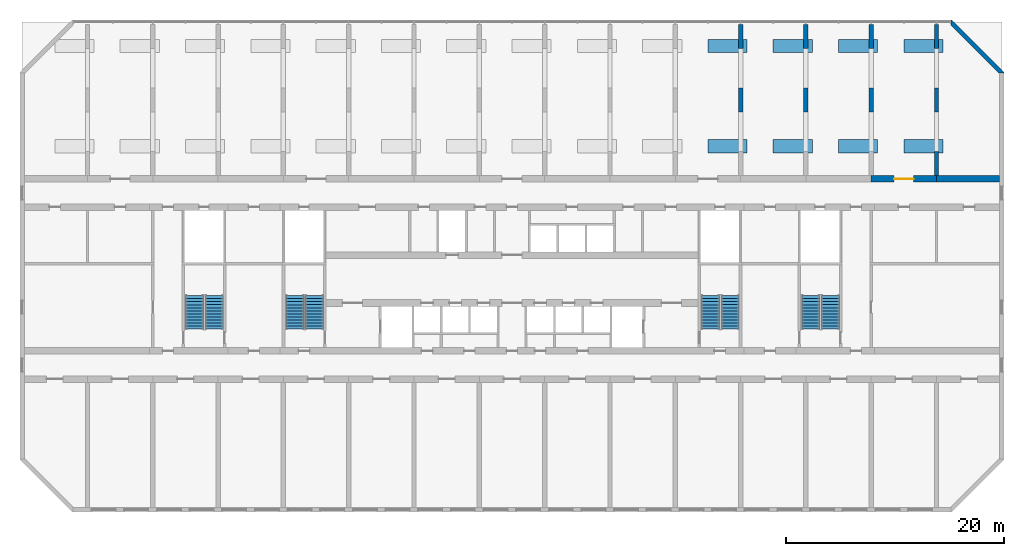
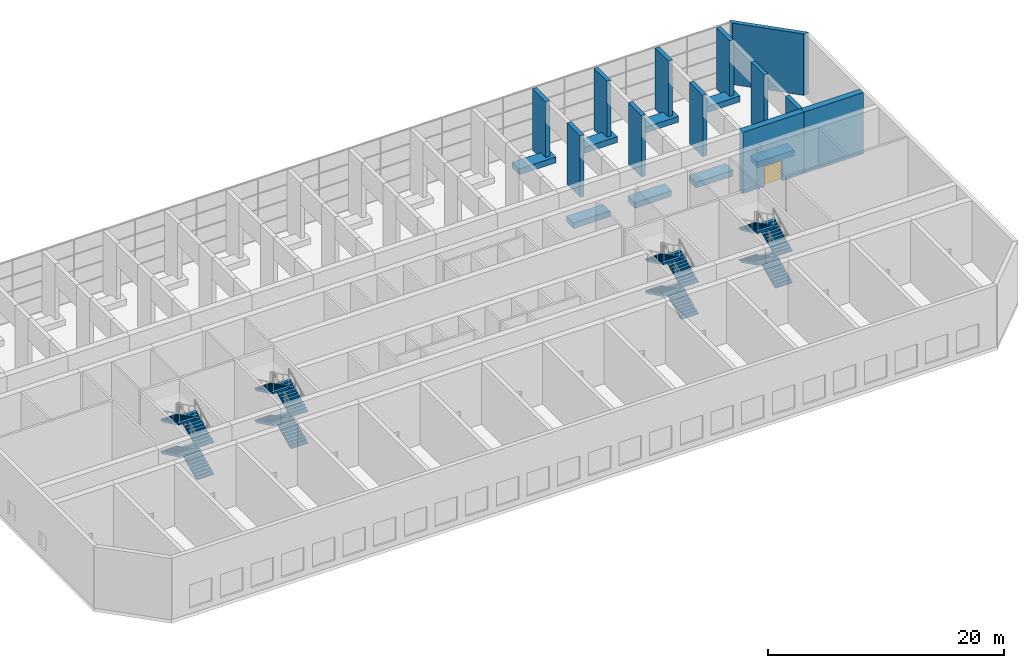
# One storey, part 13 of 15: 20 walls, 16 stair flights, 1 door, 1 opening, 4 elements without a shape of their own.
"""IFC4 building model written with IfcOpenShell, lengths in metres."""

from ifc_helpers import new_model, si_unit, direction, frame, frame_2d, origin, place, context, subcontext, project, spatial, polyline, rectangle, outline, extrude, source, transform, mapped, material, layer, layer_set, type_object, element, fill, aggregate, save


model = new_model("IFC4")

# Units and contexts
model_context = context("Model", 3, precision=1e-05, world=origin(), true_north=direction((0.0, 1.0)))
body_context = subcontext(model_context, "Body", "Model", "MODEL_VIEW")
ifc_project = project(units=[si_unit("LENGTHUNIT", "METRE"), si_unit("AREAUNIT", "SQUARE_METRE"), si_unit("VOLUMEUNIT", "CUBIC_METRE"), si_unit("PLANEANGLEUNIT", "RADIAN"), si_unit("MASSUNIT", "GRAM", prefix="KILO")], contexts=[model_context])

# Site, building, storey
site_placement = place(None, origin())
site = spatial("IfcSite", under=ifc_project, at=site_placement, CompositionType="ELEMENT")
building_placement = place(site_placement, origin())
building = spatial("IfcBuilding", under=site, at=building_placement, Name="Poui Terraces", CompositionType="ELEMENT")
storey_placement = place(building_placement, frame((0.0, 0.0, 66.300048828125)))
storey = spatial("IfcBuildingStorey", under=building, at=storey_placement, Name="L18", CompositionType="ELEMENT", Elevation=66.300048828125)

# Wall, opening, door
ifc_material_1 = material(Name="Concrete 80 MPa", Category="concrete")
ifc_layer_1 = layer(ifc_material_1, 0.60009765625)
ifc_layer_set_1 = layer_set([ifc_layer_1], Name="Concrete 80 MPa")
wall_type_1 = type_object("IfcWallType", Name="BELT WALL 600 80MPa", PredefinedType="SHEAR", material=ifc_layer_set_1)
wall_1_placement = place(storey_placement, frame((84.0, 30.39990234375, 0.0), z_axis=(0.0, 0.0, 1.0), x_axis=(1.0, 0.0, 0.0)))
wall_1 = element("IfcWall", 1, at=wall_1_placement, inside=storey, type_object=wall_type_1, Name="BELT WALL LINE E BAY 14", PredefinedType="SHEAR", context=body_context, shape_type="SweptSolid", body=[
    extrude(rectangle(XDim=6.0, YDim=0.60009765625, at=frame_2d((3.0, 0.0))), origin(), (0.0, 0.0, 1.0), 6.35986328125),
])
opening_placement = place(wall_1_placement, frame((2.10009765625, 0.0, 0.0)))
opening = element("IfcOpeningElement", 2, at=opening_placement, cuts=wall_1, Name="Opening DD180", PredefinedType="OPENING", context=body_context, shape_type="SweptSolid", body=[
    extrude(rectangle(XDim=1.800048828125, YDim=2.10009765625, at=frame_2d((0.89990234375, 1.050048828125))), frame((0.0, 0.31005859375, 0.0), z_axis=(0.0, -1.0, 0.0), x_axis=(1.0, 0.0, 0.0)), (0.0, 0.0, 1.0), 0.6201171875),
])
ifc_material_2 = material(Name="Steel fire door", Category="steel")
door_type = type_object("IfcDoorType", Name="DOUBLE INTERNAL DOOR 1800 X 2100", OperationType="DOUBLE_DOOR_SINGLE_SWING", PredefinedType="DOOR", material=ifc_material_2)
door_placement = place(opening_placement, frame((1.800048828125, 0.0, 0.0), z_axis=(0.0, 0.0, 1.0), x_axis=(-1.0, 0.0, 0.0)))
door = element("IfcDoor", 3, at=door_placement, inside=storey, type_object=door_type, Name="DOUBLE INTERNAL DOOR 023", OperationType="DOUBLE_DOOR_SINGLE_SWING", OverallHeight=2.10009765625, OverallWidth=1.800048828125, PredefinedType="DOOR", context=body_context, shape_type="SweptSolid", body=[
    extrude(rectangle(XDim=1.800048828125, YDim=2.10009765625, at=frame_2d((0.89990234375, 1.050048828125))), frame((0.0, 0.02490234375, 0.0), z_axis=(0.0, -1.0, 0.0), x_axis=(1.0, 0.0, 0.0)), (0.0, 0.0, 1.0), 0.050048828125),
])
fill(opening, door)

# Walls
wall_2_placement = place(storey_placement, frame((90.0, 30.39990234375, 0.0), z_axis=(0.0, 0.0, 1.0), x_axis=(1.0, 0.0, 0.0)))
element("IfcWall", 4, at=wall_2_placement, inside=storey, type_object=wall_type_1, Name="BELT WALL LINE E BAY 15", PredefinedType="SHEAR", context=body_context, shape_type="SweptSolid", body=[
    extrude(rectangle(XDim=5.800048828125, YDim=0.60009765625, at=frame_2d((2.89990234375, 0.0))), origin(), (0.0, 0.0, 1.0), 6.35986328125),
])
ifc_layer_2 = layer(ifc_material_1, 0.39990234375)
ifc_layer_set_2 = layer_set([ifc_layer_2], Name="Concrete 80 MPa")
wall_type_2 = type_object("IfcWallType", Name="PIERCED CROSS WALL 400 80MPa", PredefinedType="SHEAR", material=ifc_layer_set_2)
for number, where, z_axis, x_axis, name in (
    (5, (72.0, 36.533203125, 0.0), (0.0, 0.0, 1.0), (0.0, 1.0, 0.0), "PIER LINE 13 2"),
    (6, (72.0, 42.36669921875, 0.0), (0.0, 0.0, 1.0), (0.0, 1.0, 0.0), "PIER LINE 13 3"),
    (7, (78.0, 36.533203125, 0.0), (0.0, 0.0, 1.0), (0.0, 1.0, 0.0), "PIER LINE 14 2"),
    (8, (78.0, 42.36669921875, 0.0), (0.0, 0.0, 1.0), (0.0, 1.0, 0.0), "PIER LINE 14 3"),
    (9, (84.0, 36.533203125, 0.0), (0.0, 0.0, 1.0), (0.0, 1.0, 0.0), "PIER LINE 15 2"),
    (10, (84.0, 42.36669921875, 0.0), (0.0, 0.0, 1.0), (0.0, 1.0, 0.0), "PIER LINE 15 3"),
    (11, (90.0, 30.699951171875, 0.0), (0.0, 0.0, 1.0), (0.0, 1.0, 0.0), "PIER LINE 16 1"),
    (12, (90.0, 36.533203125, 0.0), (0.0, 0.0, 1.0), (0.0, 1.0, 0.0), "PIER LINE 16 2"),
    (13, (90.0, 42.36669921875, 0.0), (0.0, 0.0, 1.0), (0.0, 1.0, 0.0), "PIER LINE 16 3"),
):
    element("IfcWall", number, at=place(storey_placement, frame(where, z_axis=z_axis, x_axis=x_axis)), inside=storey, type_object=wall_type_2, Name=name, PredefinedType="SHEAR", context=body_context, shape_type="SweptSolid", body=[
        extrude(rectangle(XDim=2.2333984375, YDim=0.39990234375, at=frame_2d((1.11669921875, 0.0))), origin(), (0.0, 0.0, 1.0), 6.35986328125),
    ])
ifc_material_3 = material(Name="Precast concrete 40 MPa", Category="concrete")
ifc_layer_3 = layer(ifc_material_3, 0.39990234375)
ifc_layer_set_3 = layer_set([ifc_layer_3], Name="Precast concrete 40 MPa")
wall_type_3 = type_object("IfcWallType", Name="TERRACOTTA CLAD CHAMFER WALL 400", PredefinedType="STANDARD", material=ifc_layer_set_3)
wall_3_placement = place(storey_placement, origin())
element("IfcWall", 14, at=wall_3_placement, inside=storey, type_object=wall_type_3, Name="CHAMFER WALL CH03", PredefinedType="STANDARD", context=body_context, shape_type="SweptSolid", body=[
    extrude(outline(polyline([(96.199951171875, 40.1171875), (96.199951171875, 40.199951171875), (91.39990234375, 45.0), (91.317138671875, 45.0), (91.317138671875, 44.51708984375), (95.71728515625, 40.1171875), (96.199951171875, 40.1171875)])), origin(), (0.0, 0.0, 1.0), 6.35986328125),
])
ifc_layer_4 = layer(ifc_material_3, 1.199951171875)
ifc_layer_set_4 = layer_set([ifc_layer_4], Name="Precast concrete 40 MPa")
wall_type_4 = type_object("IfcWallType", Name="PLANTER 600", PredefinedType="USERDEFINED", material=ifc_layer_set_4)
shared_shape = source(origin(), body_context, "Body", "SweptSolid", [
    extrude(outline(polyline([(0.0, 0.0), (3.60009765625, 0.0), (3.60009765625, 1.199951171875), (0.0, 1.199951171875), (0.0, 0.0)])), origin(), (0.0, 0.0, 1.0), 0.599853515625),
])
for number, where, name in (
    (15, (69.0, 32.800048828125, 0.0), "PLANTER"),
    (16, (75.0, 32.800048828125, 0.0), "PLANTER"),
    (17, (81.0, 32.800048828125, 0.0), "PLANTER"),
    (18, (87.0, 32.800048828125, 0.0), "PLANTER"),
    (19, (69.0, 42.0, 0.0), "PLANTER"),
    (20, (75.0, 42.0, 0.0), "PLANTER"),
    (21, (81.0, 42.0, 0.0), "PLANTER"),
    (22, (87.0, 42.0, 0.0), "PLANTER"),
):
    element("IfcWall", number, at=place(storey_placement, frame(where)), inside=storey, type_object=wall_type_4, Name=name, ObjectType="PLANTER", PredefinedType="USERDEFINED", context=body_context, shape_type="MappedRepresentation", body=[
        mapped(shared_shape, transform((0.0, 0.0, 0.0))),
    ])

# Stair, stair flights
stair_type = type_object("IfcStairType", Name="EXIT STAIR 1650 80 MPA", PredefinedType="HALF_TURN_STAIR", material=ifc_material_1)
stair_1_placement = place(storey_placement, origin())
stair_1 = element("IfcStair", 23, at=stair_1_placement, inside=storey, type_object=stair_type, Name="L18 CORE STAIR EAST", PredefinedType="HALF_TURN_STAIR")
ifc_layer_5 = layer(ifc_material_1, 0.14990234375)
ifc_layer_set_5 = layer_set([ifc_layer_5], Name="Concrete 80 MPa")
stair_flight_type = type_object("IfcStairFlightType", Name="STAIR FLIGHT 12 RISERS 138 RISE 80 MPA", PredefinedType="STRAIGHT", material=ifc_layer_set_5)
stair_flight_1_placement = place(storey_placement, frame((71.050048828125, 16.60009765625, 0.0), z_axis=(0.0, 0.0, 1.0), x_axis=(0.0, 1.0, 0.0)))
stair_flight_1 = element("IfcStairFlight", 24, at=stair_flight_1_placement, type_object=stair_flight_type, Name="ST-CE flight 1", NumberOfRisers=12, NumberOfTreads=11, PredefinedType="STRAIGHT", RiserHeight=0.1375, TreadLength=0.28, context=body_context, shape_type="SweptSolid", body=[
    extrude(outline(polyline([(0.0, 0.0), (0.0, 0.137451171875), (0.280029296875, 0.137451171875), (0.280029296875, 0.27490234375), (0.56005859375, 0.27490234375), (0.56005859375, 0.41259765625), (0.840087890625, 0.41259765625), (0.840087890625, 0.550048828125), (1.1201171875, 0.550048828125), (1.1201171875, 0.6875), (1.39990234375, 0.6875), (1.39990234375, 0.824951171875), (1.679931640625, 0.824951171875), (1.679931640625, 0.96240234375), (1.9599609375, 0.96240234375), (1.9599609375, 1.10009765625), (2.239990234375, 1.10009765625), (2.239990234375, 1.237548828125), (2.52001953125, 1.237548828125), (2.52001953125, 1.375), (2.800048828125, 1.375), (2.800048828125, 1.512451171875), (3.080078125, 1.512451171875), (3.080078125, 1.64990234375), (3.080078125, 1.345458984375), (0.340087890625, 0.0), (0.0, 0.0)])), frame((0.0, 0.824951171875, 0.0), z_axis=(0.0, -1.0, 0.0), x_axis=(1.0, 0.0, 0.0)), (0.0, 0.0, 1.0), 1.64990234375),
])
stair_flight_2_placement = place(storey_placement, frame((69.25, 19.679931640625, 1.64990234375), z_axis=(0.0, 0.0, 1.0), x_axis=(0.0, -1.0, 0.0)))
stair_flight_2 = element("IfcStairFlight", 25, at=stair_flight_2_placement, type_object=stair_flight_type, Name="ST-CE flight 2", NumberOfRisers=12, NumberOfTreads=11, PredefinedType="STRAIGHT", RiserHeight=0.1375, TreadLength=0.28, context=body_context, shape_type="SweptSolid", body=[
    extrude(outline(polyline([(0.0, 0.0), (0.0, 0.137451171875), (0.280029296875, 0.137451171875), (0.280029296875, 0.27490234375), (0.56005859375, 0.27490234375), (0.56005859375, 0.41259765625), (0.840087890625, 0.41259765625), (0.840087890625, 0.550048828125), (1.1201171875, 0.550048828125), (1.1201171875, 0.6875), (1.39990234375, 0.6875), (1.39990234375, 0.824951171875), (1.679931640625, 0.824951171875), (1.679931640625, 0.96240234375), (1.9599609375, 0.96240234375), (1.9599609375, 1.10009765625), (2.239990234375, 1.10009765625), (2.239990234375, 1.237548828125), (2.52001953125, 1.237548828125), (2.52001953125, 1.375), (2.800048828125, 1.375), (2.800048828125, 1.512451171875), (3.080078125, 1.512451171875), (3.080078125, 1.64990234375), (3.080078125, 1.345458984375), (0.340087890625, 0.0), (0.0, 0.0)])), frame((0.0, 0.824951171875, 0.0), z_axis=(0.0, -1.0, 0.0), x_axis=(1.0, 0.0, 0.0)), (0.0, 0.0, 1.0), 1.64990234375),
])
stair_flight_3_placement = place(storey_placement, frame((71.050048828125, 16.60009765625, 3.300048828125), z_axis=(0.0, 0.0, 1.0), x_axis=(0.0, 1.0, 0.0)))
stair_flight_3 = element("IfcStairFlight", 26, at=stair_flight_3_placement, type_object=stair_flight_type, Name="ST-CE flight 3", NumberOfRisers=12, NumberOfTreads=11, PredefinedType="STRAIGHT", RiserHeight=0.1375, TreadLength=0.28, context=body_context, shape_type="SweptSolid", body=[
    extrude(outline(polyline([(0.0, 0.0), (0.0, 0.137451171875), (0.280029296875, 0.137451171875), (0.280029296875, 0.27490234375), (0.56005859375, 0.27490234375), (0.56005859375, 0.41259765625), (0.840087890625, 0.41259765625), (0.840087890625, 0.550048828125), (1.1201171875, 0.550048828125), (1.1201171875, 0.6875), (1.39990234375, 0.6875), (1.39990234375, 0.824951171875), (1.679931640625, 0.824951171875), (1.679931640625, 0.96240234375), (1.9599609375, 0.96240234375), (1.9599609375, 1.10009765625), (2.239990234375, 1.10009765625), (2.239990234375, 1.237548828125), (2.52001953125, 1.237548828125), (2.52001953125, 1.375), (2.800048828125, 1.375), (2.800048828125, 1.512451171875), (3.080078125, 1.512451171875), (3.080078125, 1.64990234375), (3.080078125, 1.345458984375), (0.340087890625, 0.0), (0.0, 0.0)])), frame((0.0, 0.824951171875, 0.0), z_axis=(0.0, -1.0, 0.0), x_axis=(1.0, 0.0, 0.0)), (0.0, 0.0, 1.0), 1.64990234375),
])
stair_flight_4_placement = place(storey_placement, frame((69.25, 19.679931640625, 4.949951171875), z_axis=(0.0, 0.0, 1.0), x_axis=(0.0, -1.0, 0.0)))
stair_flight_4 = element("IfcStairFlight", 27, at=stair_flight_4_placement, type_object=stair_flight_type, Name="ST-CE flight 4", NumberOfRisers=12, NumberOfTreads=11, PredefinedType="STRAIGHT", RiserHeight=0.1375, TreadLength=0.28, context=body_context, shape_type="SweptSolid", body=[
    extrude(outline(polyline([(0.0, 0.0), (0.0, 0.137451171875), (0.280029296875, 0.137451171875), (0.280029296875, 0.27490234375), (0.56005859375, 0.27490234375), (0.56005859375, 0.41259765625), (0.840087890625, 0.41259765625), (0.840087890625, 0.550048828125), (1.1201171875, 0.550048828125), (1.1201171875, 0.6875), (1.39990234375, 0.6875), (1.39990234375, 0.824951171875), (1.679931640625, 0.824951171875), (1.679931640625, 0.96240234375), (1.9599609375, 0.96240234375), (1.9599609375, 1.10009765625), (2.239990234375, 1.10009765625), (2.239990234375, 1.237548828125), (2.52001953125, 1.237548828125), (2.52001953125, 1.375), (2.800048828125, 1.375), (2.800048828125, 1.512451171875), (3.080078125, 1.512451171875), (3.080078125, 1.64990234375), (3.080078125, 1.345458984375), (0.340087890625, 0.0), (0.0, 0.0)])), frame((0.0, 0.824951171875, 0.0), z_axis=(0.0, -1.0, 0.0), x_axis=(1.0, 0.0, 0.0)), (0.0, 0.0, 1.0), 1.64990234375),
])
aggregate(stair_1, [stair_flight_1, stair_flight_2, stair_flight_3, stair_flight_4])

stair_2_placement = place(storey_placement, origin())
stair_2 = element("IfcStair", 28, at=stair_2_placement, inside=storey, type_object=stair_type, Name="L18 CORE STAIR WEST", PredefinedType="HALF_TURN_STAIR")
stair_flight_5_placement = place(storey_placement, frame((32.85009765625, 16.60009765625, 0.0), z_axis=(0.0, 0.0, 1.0), x_axis=(0.0, 1.0, 0.0)))
stair_flight_5 = element("IfcStairFlight", 29, at=stair_flight_5_placement, type_object=stair_flight_type, Name="ST-CW flight 1", NumberOfRisers=12, NumberOfTreads=11, PredefinedType="STRAIGHT", RiserHeight=0.1375, TreadLength=0.28, context=body_context, shape_type="SweptSolid", body=[
    extrude(outline(polyline([(0.0, 0.0), (0.0, 0.137451171875), (0.280029296875, 0.137451171875), (0.280029296875, 0.27490234375), (0.56005859375, 0.27490234375), (0.56005859375, 0.41259765625), (0.840087890625, 0.41259765625), (0.840087890625, 0.550048828125), (1.1201171875, 0.550048828125), (1.1201171875, 0.6875), (1.39990234375, 0.6875), (1.39990234375, 0.824951171875), (1.679931640625, 0.824951171875), (1.679931640625, 0.96240234375), (1.9599609375, 0.96240234375), (1.9599609375, 1.10009765625), (2.239990234375, 1.10009765625), (2.239990234375, 1.237548828125), (2.52001953125, 1.237548828125), (2.52001953125, 1.375), (2.800048828125, 1.375), (2.800048828125, 1.512451171875), (3.080078125, 1.512451171875), (3.080078125, 1.64990234375), (3.080078125, 1.345458984375), (0.340087890625, 0.0), (0.0, 0.0)])), frame((0.0, 0.824951171875, 0.0), z_axis=(0.0, -1.0, 0.0), x_axis=(1.0, 0.0, 0.0)), (0.0, 0.0, 1.0), 1.64990234375),
])
stair_flight_6_placement = place(storey_placement, frame((31.050048828125, 19.679931640625, 1.64990234375), z_axis=(0.0, 0.0, 1.0), x_axis=(0.0, -1.0, 0.0)))
stair_flight_6 = element("IfcStairFlight", 30, at=stair_flight_6_placement, type_object=stair_flight_type, Name="ST-CW flight 2", NumberOfRisers=12, NumberOfTreads=11, PredefinedType="STRAIGHT", RiserHeight=0.1375, TreadLength=0.28, context=body_context, shape_type="SweptSolid", body=[
    extrude(outline(polyline([(0.0, 0.0), (0.0, 0.137451171875), (0.280029296875, 0.137451171875), (0.280029296875, 0.27490234375), (0.56005859375, 0.27490234375), (0.56005859375, 0.41259765625), (0.840087890625, 0.41259765625), (0.840087890625, 0.550048828125), (1.1201171875, 0.550048828125), (1.1201171875, 0.6875), (1.39990234375, 0.6875), (1.39990234375, 0.824951171875), (1.679931640625, 0.824951171875), (1.679931640625, 0.96240234375), (1.9599609375, 0.96240234375), (1.9599609375, 1.10009765625), (2.239990234375, 1.10009765625), (2.239990234375, 1.237548828125), (2.52001953125, 1.237548828125), (2.52001953125, 1.375), (2.800048828125, 1.375), (2.800048828125, 1.512451171875), (3.080078125, 1.512451171875), (3.080078125, 1.64990234375), (3.080078125, 1.345458984375), (0.340087890625, 0.0), (0.0, 0.0)])), frame((0.0, 0.824951171875, 0.0), z_axis=(0.0, -1.0, 0.0), x_axis=(1.0, 0.0, 0.0)), (0.0, 0.0, 1.0), 1.64990234375),
])
stair_flight_7_placement = place(storey_placement, frame((32.85009765625, 16.60009765625, 3.300048828125), z_axis=(0.0, 0.0, 1.0), x_axis=(0.0, 1.0, 0.0)))
stair_flight_7 = element("IfcStairFlight", 31, at=stair_flight_7_placement, type_object=stair_flight_type, Name="ST-CW flight 3", NumberOfRisers=12, NumberOfTreads=11, PredefinedType="STRAIGHT", RiserHeight=0.1375, TreadLength=0.28, context=body_context, shape_type="SweptSolid", body=[
    extrude(outline(polyline([(0.0, 0.0), (0.0, 0.137451171875), (0.280029296875, 0.137451171875), (0.280029296875, 0.27490234375), (0.56005859375, 0.27490234375), (0.56005859375, 0.41259765625), (0.840087890625, 0.41259765625), (0.840087890625, 0.550048828125), (1.1201171875, 0.550048828125), (1.1201171875, 0.6875), (1.39990234375, 0.6875), (1.39990234375, 0.824951171875), (1.679931640625, 0.824951171875), (1.679931640625, 0.96240234375), (1.9599609375, 0.96240234375), (1.9599609375, 1.10009765625), (2.239990234375, 1.10009765625), (2.239990234375, 1.237548828125), (2.52001953125, 1.237548828125), (2.52001953125, 1.375), (2.800048828125, 1.375), (2.800048828125, 1.512451171875), (3.080078125, 1.512451171875), (3.080078125, 1.64990234375), (3.080078125, 1.345458984375), (0.340087890625, 0.0), (0.0, 0.0)])), frame((0.0, 0.824951171875, 0.0), z_axis=(0.0, -1.0, 0.0), x_axis=(1.0, 0.0, 0.0)), (0.0, 0.0, 1.0), 1.64990234375),
])
stair_flight_8_placement = place(storey_placement, frame((31.050048828125, 19.679931640625, 4.949951171875), z_axis=(0.0, 0.0, 1.0), x_axis=(0.0, -1.0, 0.0)))
stair_flight_8 = element("IfcStairFlight", 32, at=stair_flight_8_placement, type_object=stair_flight_type, Name="ST-CW flight 4", NumberOfRisers=12, NumberOfTreads=11, PredefinedType="STRAIGHT", RiserHeight=0.1375, TreadLength=0.28, context=body_context, shape_type="SweptSolid", body=[
    extrude(outline(polyline([(0.0, 0.0), (0.0, 0.137451171875), (0.280029296875, 0.137451171875), (0.280029296875, 0.27490234375), (0.56005859375, 0.27490234375), (0.56005859375, 0.41259765625), (0.840087890625, 0.41259765625), (0.840087890625, 0.550048828125), (1.1201171875, 0.550048828125), (1.1201171875, 0.6875), (1.39990234375, 0.6875), (1.39990234375, 0.824951171875), (1.679931640625, 0.824951171875), (1.679931640625, 0.96240234375), (1.9599609375, 0.96240234375), (1.9599609375, 1.10009765625), (2.239990234375, 1.10009765625), (2.239990234375, 1.237548828125), (2.52001953125, 1.237548828125), (2.52001953125, 1.375), (2.800048828125, 1.375), (2.800048828125, 1.512451171875), (3.080078125, 1.512451171875), (3.080078125, 1.64990234375), (3.080078125, 1.345458984375), (0.340087890625, 0.0), (0.0, 0.0)])), frame((0.0, 0.824951171875, 0.0), z_axis=(0.0, -1.0, 0.0), x_axis=(1.0, 0.0, 0.0)), (0.0, 0.0, 1.0), 1.64990234375),
])
aggregate(stair_2, [stair_flight_5, stair_flight_6, stair_flight_7, stair_flight_8])

stair_3_placement = place(storey_placement, origin())
stair_3 = element("IfcStair", 33, at=stair_3_placement, inside=storey, type_object=stair_type, Name="L18 TIP STAIR EAST", PredefinedType="HALF_TURN_STAIR")
stair_flight_9_placement = place(storey_placement, frame((80.25, 16.60009765625, 0.0), z_axis=(0.0, 0.0, 1.0), x_axis=(0.0, 1.0, 0.0)))
stair_flight_9 = element("IfcStairFlight", 34, at=stair_flight_9_placement, type_object=stair_flight_type, Name="ST-E flight 1", NumberOfRisers=12, NumberOfTreads=11, PredefinedType="STRAIGHT", RiserHeight=0.1375, TreadLength=0.28, context=body_context, shape_type="SweptSolid", body=[
    extrude(outline(polyline([(0.0, 0.0), (0.0, 0.137451171875), (0.280029296875, 0.137451171875), (0.280029296875, 0.27490234375), (0.56005859375, 0.27490234375), (0.56005859375, 0.41259765625), (0.840087890625, 0.41259765625), (0.840087890625, 0.550048828125), (1.1201171875, 0.550048828125), (1.1201171875, 0.6875), (1.39990234375, 0.6875), (1.39990234375, 0.824951171875), (1.679931640625, 0.824951171875), (1.679931640625, 0.96240234375), (1.9599609375, 0.96240234375), (1.9599609375, 1.10009765625), (2.239990234375, 1.10009765625), (2.239990234375, 1.237548828125), (2.52001953125, 1.237548828125), (2.52001953125, 1.375), (2.800048828125, 1.375), (2.800048828125, 1.512451171875), (3.080078125, 1.512451171875), (3.080078125, 1.64990234375), (3.080078125, 1.345458984375), (0.340087890625, 0.0), (0.0, 0.0)])), frame((0.0, 0.824951171875, 0.0), z_axis=(0.0, -1.0, 0.0), x_axis=(1.0, 0.0, 0.0)), (0.0, 0.0, 1.0), 1.64990234375),
])
stair_flight_10_placement = place(storey_placement, frame((78.449951171875, 19.679931640625, 1.64990234375), z_axis=(0.0, 0.0, 1.0), x_axis=(0.0, -1.0, 0.0)))
stair_flight_10 = element("IfcStairFlight", 35, at=stair_flight_10_placement, type_object=stair_flight_type, Name="ST-E flight 2", NumberOfRisers=12, NumberOfTreads=11, PredefinedType="STRAIGHT", RiserHeight=0.1375, TreadLength=0.28, context=body_context, shape_type="SweptSolid", body=[
    extrude(outline(polyline([(0.0, 0.0), (0.0, 0.137451171875), (0.280029296875, 0.137451171875), (0.280029296875, 0.27490234375), (0.56005859375, 0.27490234375), (0.56005859375, 0.41259765625), (0.840087890625, 0.41259765625), (0.840087890625, 0.550048828125), (1.1201171875, 0.550048828125), (1.1201171875, 0.6875), (1.39990234375, 0.6875), (1.39990234375, 0.824951171875), (1.679931640625, 0.824951171875), (1.679931640625, 0.96240234375), (1.9599609375, 0.96240234375), (1.9599609375, 1.10009765625), (2.239990234375, 1.10009765625), (2.239990234375, 1.237548828125), (2.52001953125, 1.237548828125), (2.52001953125, 1.375), (2.800048828125, 1.375), (2.800048828125, 1.512451171875), (3.080078125, 1.512451171875), (3.080078125, 1.64990234375), (3.080078125, 1.345458984375), (0.340087890625, 0.0), (0.0, 0.0)])), frame((0.0, 0.824951171875, 0.0), z_axis=(0.0, -1.0, 0.0), x_axis=(1.0, 0.0, 0.0)), (0.0, 0.0, 1.0), 1.64990234375),
])
stair_flight_11_placement = place(storey_placement, frame((80.25, 16.60009765625, 3.300048828125), z_axis=(0.0, 0.0, 1.0), x_axis=(0.0, 1.0, 0.0)))
stair_flight_11 = element("IfcStairFlight", 36, at=stair_flight_11_placement, type_object=stair_flight_type, Name="ST-E flight 3", NumberOfRisers=12, NumberOfTreads=11, PredefinedType="STRAIGHT", RiserHeight=0.1375, TreadLength=0.28, context=body_context, shape_type="SweptSolid", body=[
    extrude(outline(polyline([(0.0, 0.0), (0.0, 0.137451171875), (0.280029296875, 0.137451171875), (0.280029296875, 0.27490234375), (0.56005859375, 0.27490234375), (0.56005859375, 0.41259765625), (0.840087890625, 0.41259765625), (0.840087890625, 0.550048828125), (1.1201171875, 0.550048828125), (1.1201171875, 0.6875), (1.39990234375, 0.6875), (1.39990234375, 0.824951171875), (1.679931640625, 0.824951171875), (1.679931640625, 0.96240234375), (1.9599609375, 0.96240234375), (1.9599609375, 1.10009765625), (2.239990234375, 1.10009765625), (2.239990234375, 1.237548828125), (2.52001953125, 1.237548828125), (2.52001953125, 1.375), (2.800048828125, 1.375), (2.800048828125, 1.512451171875), (3.080078125, 1.512451171875), (3.080078125, 1.64990234375), (3.080078125, 1.345458984375), (0.340087890625, 0.0), (0.0, 0.0)])), frame((0.0, 0.824951171875, 0.0), z_axis=(0.0, -1.0, 0.0), x_axis=(1.0, 0.0, 0.0)), (0.0, 0.0, 1.0), 1.64990234375),
])
stair_flight_12_placement = place(storey_placement, frame((78.449951171875, 19.679931640625, 4.949951171875), z_axis=(0.0, 0.0, 1.0), x_axis=(0.0, -1.0, 0.0)))
stair_flight_12 = element("IfcStairFlight", 37, at=stair_flight_12_placement, type_object=stair_flight_type, Name="ST-E flight 4", NumberOfRisers=12, NumberOfTreads=11, PredefinedType="STRAIGHT", RiserHeight=0.1375, TreadLength=0.28, context=body_context, shape_type="SweptSolid", body=[
    extrude(outline(polyline([(0.0, 0.0), (0.0, 0.137451171875), (0.280029296875, 0.137451171875), (0.280029296875, 0.27490234375), (0.56005859375, 0.27490234375), (0.56005859375, 0.41259765625), (0.840087890625, 0.41259765625), (0.840087890625, 0.550048828125), (1.1201171875, 0.550048828125), (1.1201171875, 0.6875), (1.39990234375, 0.6875), (1.39990234375, 0.824951171875), (1.679931640625, 0.824951171875), (1.679931640625, 0.96240234375), (1.9599609375, 0.96240234375), (1.9599609375, 1.10009765625), (2.239990234375, 1.10009765625), (2.239990234375, 1.237548828125), (2.52001953125, 1.237548828125), (2.52001953125, 1.375), (2.800048828125, 1.375), (2.800048828125, 1.512451171875), (3.080078125, 1.512451171875), (3.080078125, 1.64990234375), (3.080078125, 1.345458984375), (0.340087890625, 0.0), (0.0, 0.0)])), frame((0.0, 0.824951171875, 0.0), z_axis=(0.0, -1.0, 0.0), x_axis=(1.0, 0.0, 0.0)), (0.0, 0.0, 1.0), 1.64990234375),
])
aggregate(stair_3, [stair_flight_9, stair_flight_10, stair_flight_11, stair_flight_12])

stair_4_placement = place(storey_placement, origin())
stair_4 = element("IfcStair", 38, at=stair_4_placement, inside=storey, type_object=stair_type, Name="L18 TIP STAIR WEST", PredefinedType="HALF_TURN_STAIR")
stair_flight_13_placement = place(storey_placement, frame((23.64990234375, 16.60009765625, 0.0), z_axis=(0.0, 0.0, 1.0), x_axis=(0.0, 1.0, 0.0)))
stair_flight_13 = element("IfcStairFlight", 39, at=stair_flight_13_placement, type_object=stair_flight_type, Name="ST-W flight 1", NumberOfRisers=12, NumberOfTreads=11, PredefinedType="STRAIGHT", RiserHeight=0.1375, TreadLength=0.28, context=body_context, shape_type="SweptSolid", body=[
    extrude(outline(polyline([(0.0, 0.0), (0.0, 0.137451171875), (0.280029296875, 0.137451171875), (0.280029296875, 0.27490234375), (0.56005859375, 0.27490234375), (0.56005859375, 0.41259765625), (0.840087890625, 0.41259765625), (0.840087890625, 0.550048828125), (1.1201171875, 0.550048828125), (1.1201171875, 0.6875), (1.39990234375, 0.6875), (1.39990234375, 0.824951171875), (1.679931640625, 0.824951171875), (1.679931640625, 0.96240234375), (1.9599609375, 0.96240234375), (1.9599609375, 1.10009765625), (2.239990234375, 1.10009765625), (2.239990234375, 1.237548828125), (2.52001953125, 1.237548828125), (2.52001953125, 1.375), (2.800048828125, 1.375), (2.800048828125, 1.512451171875), (3.080078125, 1.512451171875), (3.080078125, 1.64990234375), (3.080078125, 1.345458984375), (0.340087890625, 0.0), (0.0, 0.0)])), frame((0.0, 0.824951171875, 0.0), z_axis=(0.0, -1.0, 0.0), x_axis=(1.0, 0.0, 0.0)), (0.0, 0.0, 1.0), 1.64990234375),
])
stair_flight_14_placement = place(storey_placement, frame((21.85009765625, 19.679931640625, 1.64990234375), z_axis=(0.0, 0.0, 1.0), x_axis=(0.0, -1.0, 0.0)))
stair_flight_14 = element("IfcStairFlight", 40, at=stair_flight_14_placement, type_object=stair_flight_type, Name="ST-W flight 2", NumberOfRisers=12, NumberOfTreads=11, PredefinedType="STRAIGHT", RiserHeight=0.1375, TreadLength=0.28, context=body_context, shape_type="SweptSolid", body=[
    extrude(outline(polyline([(0.0, 0.0), (0.0, 0.137451171875), (0.280029296875, 0.137451171875), (0.280029296875, 0.27490234375), (0.56005859375, 0.27490234375), (0.56005859375, 0.41259765625), (0.840087890625, 0.41259765625), (0.840087890625, 0.550048828125), (1.1201171875, 0.550048828125), (1.1201171875, 0.6875), (1.39990234375, 0.6875), (1.39990234375, 0.824951171875), (1.679931640625, 0.824951171875), (1.679931640625, 0.96240234375), (1.9599609375, 0.96240234375), (1.9599609375, 1.10009765625), (2.239990234375, 1.10009765625), (2.239990234375, 1.237548828125), (2.52001953125, 1.237548828125), (2.52001953125, 1.375), (2.800048828125, 1.375), (2.800048828125, 1.512451171875), (3.080078125, 1.512451171875), (3.080078125, 1.64990234375), (3.080078125, 1.345458984375), (0.340087890625, 0.0), (0.0, 0.0)])), frame((0.0, 0.824951171875, 0.0), z_axis=(0.0, -1.0, 0.0), x_axis=(1.0, 0.0, 0.0)), (0.0, 0.0, 1.0), 1.64990234375),
])
stair_flight_15_placement = place(storey_placement, frame((23.64990234375, 16.60009765625, 3.300048828125), z_axis=(0.0, 0.0, 1.0), x_axis=(0.0, 1.0, 0.0)))
stair_flight_15 = element("IfcStairFlight", 41, at=stair_flight_15_placement, type_object=stair_flight_type, Name="ST-W flight 3", NumberOfRisers=12, NumberOfTreads=11, PredefinedType="STRAIGHT", RiserHeight=0.1375, TreadLength=0.28, context=body_context, shape_type="SweptSolid", body=[
    extrude(outline(polyline([(0.0, 0.0), (0.0, 0.137451171875), (0.280029296875, 0.137451171875), (0.280029296875, 0.27490234375), (0.56005859375, 0.27490234375), (0.56005859375, 0.41259765625), (0.840087890625, 0.41259765625), (0.840087890625, 0.550048828125), (1.1201171875, 0.550048828125), (1.1201171875, 0.6875), (1.39990234375, 0.6875), (1.39990234375, 0.824951171875), (1.679931640625, 0.824951171875), (1.679931640625, 0.96240234375), (1.9599609375, 0.96240234375), (1.9599609375, 1.10009765625), (2.239990234375, 1.10009765625), (2.239990234375, 1.237548828125), (2.52001953125, 1.237548828125), (2.52001953125, 1.375), (2.800048828125, 1.375), (2.800048828125, 1.512451171875), (3.080078125, 1.512451171875), (3.080078125, 1.64990234375), (3.080078125, 1.345458984375), (0.340087890625, 0.0), (0.0, 0.0)])), frame((0.0, 0.824951171875, 0.0), z_axis=(0.0, -1.0, 0.0), x_axis=(1.0, 0.0, 0.0)), (0.0, 0.0, 1.0), 1.64990234375),
])
stair_flight_16_placement = place(storey_placement, frame((21.85009765625, 19.679931640625, 4.949951171875), z_axis=(0.0, 0.0, 1.0), x_axis=(0.0, -1.0, 0.0)))
stair_flight_16 = element("IfcStairFlight", 42, at=stair_flight_16_placement, type_object=stair_flight_type, Name="ST-W flight 4", NumberOfRisers=12, NumberOfTreads=11, PredefinedType="STRAIGHT", RiserHeight=0.1375, TreadLength=0.28, context=body_context, shape_type="SweptSolid", body=[
    extrude(outline(polyline([(0.0, 0.0), (0.0, 0.137451171875), (0.280029296875, 0.137451171875), (0.280029296875, 0.27490234375), (0.56005859375, 0.27490234375), (0.56005859375, 0.41259765625), (0.840087890625, 0.41259765625), (0.840087890625, 0.550048828125), (1.1201171875, 0.550048828125), (1.1201171875, 0.6875), (1.39990234375, 0.6875), (1.39990234375, 0.824951171875), (1.679931640625, 0.824951171875), (1.679931640625, 0.96240234375), (1.9599609375, 0.96240234375), (1.9599609375, 1.10009765625), (2.239990234375, 1.10009765625), (2.239990234375, 1.237548828125), (2.52001953125, 1.237548828125), (2.52001953125, 1.375), (2.800048828125, 1.375), (2.800048828125, 1.512451171875), (3.080078125, 1.512451171875), (3.080078125, 1.64990234375), (3.080078125, 1.345458984375), (0.340087890625, 0.0), (0.0, 0.0)])), frame((0.0, 0.824951171875, 0.0), z_axis=(0.0, -1.0, 0.0), x_axis=(1.0, 0.0, 0.0)), (0.0, 0.0, 1.0), 1.64990234375),
])
aggregate(stair_4, [stair_flight_13, stair_flight_14, stair_flight_15, stair_flight_16])

save(model, "model.ifc")
